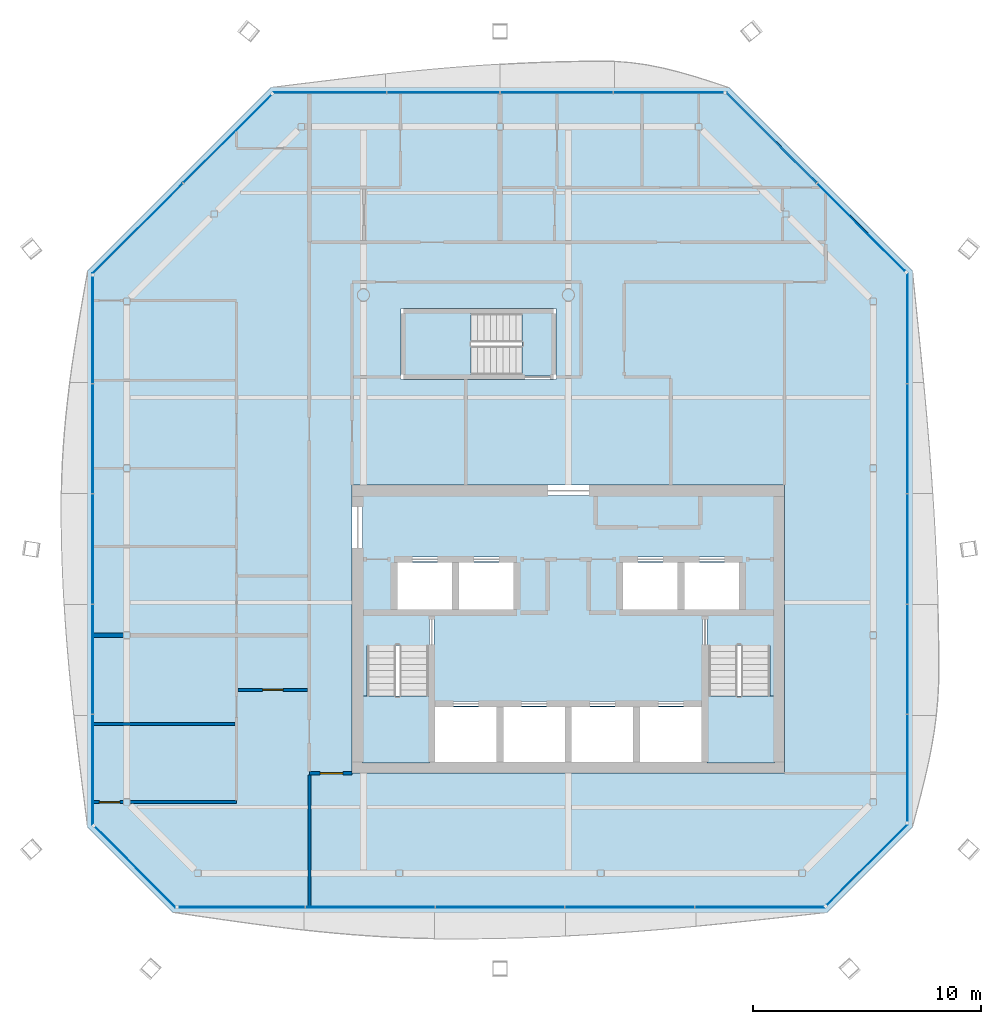
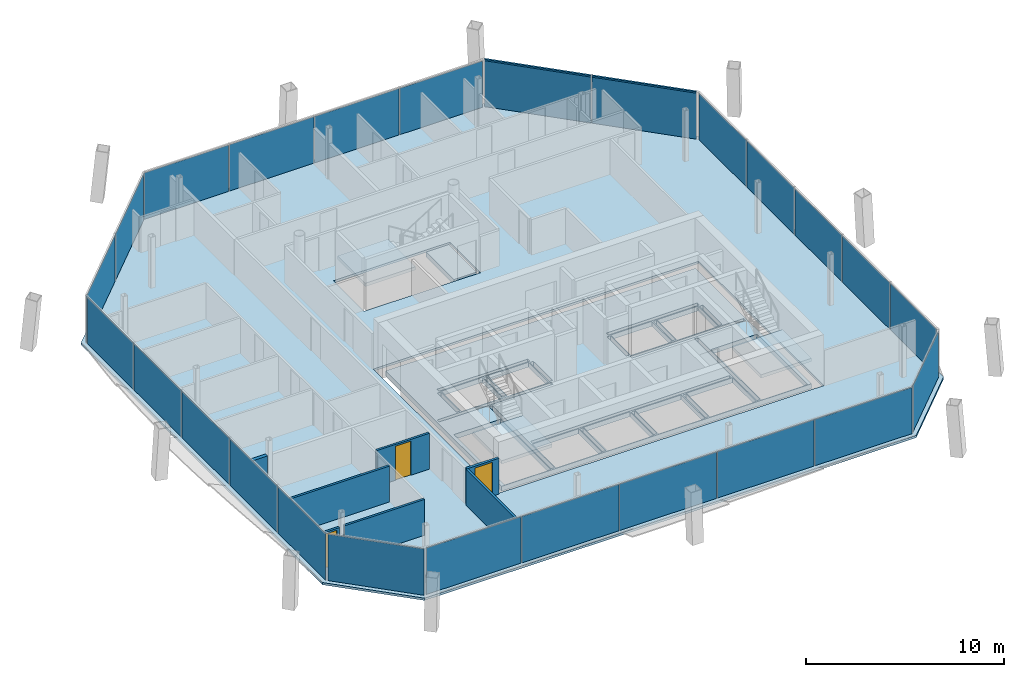
# One storey, part 9 of 15: 25 plates, 7 walls, 6 slabs, 3 doors, 2 members, 3 openings, 11 elements without a shape of their own.
"""IFC4 building model written with IfcOpenShell, lengths in metres."""

from ifc_helpers import new_model, si_unit, direction, frame, frame_2d, origin, origin_2d, place, context, subcontext, project, spatial, polyline, rectangle, outline, extrude, material, layer, layer_set, material_profile, profile_set, type_object, element, fill, aggregate, save


model = new_model("IFC4")

# Units and contexts
model_context = context("Model", 3, precision=1e-05, world=origin(), true_north=direction((0.0, 1.0)))
body_context = subcontext(model_context, "Body", "Model", "MODEL_VIEW")
ifc_project = project(units=[si_unit("LENGTHUNIT", "METRE"), si_unit("AREAUNIT", "SQUARE_METRE"), si_unit("VOLUMEUNIT", "CUBIC_METRE"), si_unit("PLANEANGLEUNIT", "RADIAN"), si_unit("MASSUNIT", "GRAM", prefix="KILO")], contexts=[model_context])

# Site, building, storey
site_placement = place(None, origin())
site = spatial("IfcSite", under=ifc_project, at=site_placement, CompositionType="ELEMENT")
building_placement = place(site_placement, origin())
building = spatial("IfcBuilding", under=site, at=building_placement, Name="Tskaro Facet Tower", CompositionType="ELEMENT")
storey_placement = place(building_placement, frame((0.0, 0.0, 242.39990234375)))
storey = spatial("IfcBuildingStorey", under=building, at=storey_placement, Name="L63", CompositionType="ELEMENT", Elevation=242.39990234375)

# Curtain wall, members
ifc_material_1 = material(Name="Bronze anodised aluminium 6063-T6", Category="aluminium")
curtain_wall_type = type_object("IfcCurtainWallType", Name="Bronze residence curtain wall (FW3)", PredefinedType="NOTDEFINED", material=ifc_material_1)
curtain_wall_1_placement = place(storey_placement, origin())
curtain_wall_1 = element("IfcCurtainWall", 1, at=curtain_wall_1_placement, inside=storey, type_object=curtain_wall_type, Name="FW3 north-east facet L63", PredefinedType="NOTDEFINED")
ifc_material_profile = material_profile(ifc_material_1, rectangle(XDim=0.10009765625, YDim=0.090087890625, at=origin_2d()), Name="Transom 100x90")
ifc_profile_set = profile_set([ifc_material_profile], Name="Bronze anodised aluminium 6063-T6")
member_type = type_object("IfcMemberType", Name="FW3 bronze transom 100x90", PredefinedType="USERDEFINED", material=ifc_profile_set)
member_1_placement = place(storey_placement, frame((14.7900390625, 10.046875, 2.905029296875), z_axis=(-0.70708438348, 0.707129178183, 0.0), x_axis=(-0.707129178183, -0.70708438348, 0.0)))
member_1 = element("IfcMember", 2, at=member_1_placement, type_object=member_type, Name="FW3 north-east transom 1.1", ObjectType="TRANSOM", PredefinedType="USERDEFINED", context=body_context, shape_type="SweptSolid", body=[
    extrude(rectangle(XDim=0.10009765625, YDim=0.090087890625, at=origin_2d()), origin(), (0.0, 0.0, 1.0), 5.4501953125),
])
member_2_placement = place(storey_placement, frame((10.90087890625, 13.936279296875, 2.905029296875), z_axis=(-0.707128617938, 0.70708494376, 0.0), x_axis=(-0.70708494376, -0.707128617938, 0.0)))
member_2 = element("IfcMember", 3, at=member_2_placement, type_object=member_type, Name="FW3 north-east transom 2.1", ObjectType="TRANSOM", PredefinedType="USERDEFINED", context=body_context, shape_type="SweptSolid", body=[
    extrude(rectangle(XDim=0.10009765625, YDim=0.090087890625, at=origin_2d()), origin(), (0.0, 0.0, 1.0), 5.590087890625),
])

# Slab
ifc_material_2 = material(Name="Concrete C30/37", Category="concrete")
ifc_layer_1 = layer(ifc_material_2, 0.139892578125, Name="Concrete C30/37")
ifc_layer_set_1 = layer_set([ifc_layer_1], Name="Concrete C30/37")
slab_type_1 = type_object("IfcSlabType", Name="Composite deck floor slab", PredefinedType="FLOOR", material=ifc_layer_set_1)
slab_1_placement = place(storey_placement, frame((0.0, 0.0, -0.139892578125)))
element("IfcSlab", 4, at=slab_1_placement, inside=storey, type_object=slab_type_1, Name="Floor slab FS3 L63", PredefinedType="FLOOR", context=body_context, shape_type="SweptSolid", body=[
    extrude(outline(polyline([(-17.35693359375, -18.138916015625), (11.35693359375, -18.138916015625), (15.138916015625, -14.35693359375), (15.138916015625, 10.052001953125), (7.052001953125, 18.138916015625), (-13.052001953125, 18.138916015625), (-21.138916015625, 10.052001953125), (-21.138916015625, -14.35693359375), (-17.35693359375, -18.138916015625)]), holes=[polyline([(-9.5, -12.0), (9.5, -12.0), (9.5, 0.64990234375), (-9.5, 0.64990234375), (-9.5, -12.0)]), polyline([(-7.35009765625, 5.300048828125), (-0.550048828125, 5.300048828125), (-0.550048828125, 8.39990234375), (-7.35009765625, 8.39990234375), (-7.35009765625, 5.300048828125)])]), origin(), (0.0, 0.0, 1.0), 0.139892578125),
])

# Curtain wall, plates
curtain_wall_2_placement = place(storey_placement, origin())
curtain_wall_2 = element("IfcCurtainWall", 5, at=curtain_wall_2_placement, inside=storey, type_object=curtain_wall_type, Name="FW3 south facet L63", PredefinedType="NOTDEFINED")
ifc_material_3 = material(Name="Bronze low-iron glass", Category="glass")
ifc_layer_2 = layer(ifc_material_3, 0.028076171875, Name="Bronze low-iron glass")
ifc_layer_set_2 = layer_set([ifc_layer_2], Name="Bronze low-iron glass")
plate_type = type_object("IfcPlateType", Name="FW3 bronze-tinted unit glazing 28", PredefinedType="CURTAIN_PANEL", material=ifc_layer_set_2)
plate_1_placement = place(storey_placement, frame((-14.344970703125, -17.888916015625, 0.0), z_axis=(0.0, 0.0, 1.0), x_axis=(1.0, 0.0, 0.0)))
plate_1 = element("IfcPlate", 6, at=plate_1_placement, type_object=plate_type, Name="FW3 south glazing 1.1", PredefinedType="CURTAIN_PANEL", context=body_context, shape_type="SweptSolid", body=[
    extrude(rectangle(XDim=5.5361328125, YDim=0.028076171875, at=origin_2d()), origin(), (0.0, 0.0, 1.0), 2.860107421875),
])
plate_2_placement = place(storey_placement, frame((-8.701171875, -17.888916015625, 0.0), z_axis=(0.0, 0.0, 1.0), x_axis=(1.0, 0.0, 0.0)))
plate_2 = element("IfcPlate", 7, at=plate_2_placement, type_object=plate_type, Name="FW3 south glazing 2.1", PredefinedType="CURTAIN_PANEL", context=body_context, shape_type="SweptSolid", body=[
    extrude(rectangle(XDim=5.651123046875, YDim=0.028076171875, at=origin_2d()), origin(), (0.0, 0.0, 1.0), 2.860107421875),
])
plate_3_placement = place(storey_placement, frame((-3.0, -17.888916015625, 0.0), z_axis=(0.0, 0.0, 1.0), x_axis=(1.0, 0.0, 0.0)))
plate_3 = element("IfcPlate", 8, at=plate_3_placement, type_object=plate_type, Name="FW3 south glazing 3.1", PredefinedType="CURTAIN_PANEL", context=body_context, shape_type="SweptSolid", body=[
    extrude(rectangle(XDim=5.651123046875, YDim=0.028076171875, at=origin_2d()), origin(), (0.0, 0.0, 1.0), 2.860107421875),
])
plate_4_placement = place(storey_placement, frame((2.701171875, -17.888916015625, 0.0), z_axis=(0.0, 0.0, 1.0), x_axis=(1.0, 0.0, 0.0)))
plate_4 = element("IfcPlate", 9, at=plate_4_placement, type_object=plate_type, Name="FW3 south glazing 4.1", PredefinedType="CURTAIN_PANEL", context=body_context, shape_type="SweptSolid", body=[
    extrude(rectangle(XDim=5.651123046875, YDim=0.028076171875, at=origin_2d()), origin(), (0.0, 0.0, 1.0), 2.860107421875),
])
plate_5_placement = place(storey_placement, frame((8.414794921875, -17.888916015625, 0.0), z_axis=(0.0, 0.0, 1.0), x_axis=(1.0, 0.0, 0.0)))
plate_5 = element("IfcPlate", 10, at=plate_5_placement, type_object=plate_type, Name="FW3 south glazing 5.1", PredefinedType="CURTAIN_PANEL", context=body_context, shape_type="SweptSolid", body=[
    extrude(rectangle(XDim=5.67626953125, YDim=0.028076171875, at=origin_2d()), origin(), (0.0, 0.0, 1.0), 2.860107421875),
])
aggregate(curtain_wall_2, [plate_1, plate_2, plate_3, plate_4, plate_5])

# Curtain wall, plate
curtain_wall_3_placement = place(storey_placement, origin())
curtain_wall_3 = element("IfcCurtainWall", 11, at=curtain_wall_3_placement, inside=storey, type_object=curtain_wall_type, Name="FW3 south-east facet L63", PredefinedType="NOTDEFINED")
plate_6_placement = place(storey_placement, frame((13.12060546875, -16.021484375, 0.0), z_axis=(0.0, 0.0, 1.0), x_axis=(0.707106781187, 0.707106781187, 0.0)))
plate_6 = element("IfcPlate", 12, at=plate_6_placement, type_object=plate_type, Name="FW3 south-east glazing 1.1", PredefinedType="CURTAIN_PANEL", context=body_context, shape_type="SweptSolid", body=[
    extrude(rectangle(XDim=5.002197265625, YDim=0.028076171875, at=origin_2d()), origin(), (0.0, 0.0, 1.0), 2.860107421875),
])
aggregate(curtain_wall_3, [plate_6])

# Curtain wall, plates
curtain_wall_4_placement = place(storey_placement, origin())
curtain_wall_4 = element("IfcCurtainWall", 13, at=curtain_wall_4_placement, inside=storey, type_object=curtain_wall_type, Name="FW3 east facet L63", PredefinedType="NOTDEFINED")
plate_7_placement = place(storey_placement, frame((14.888916015625, -11.775390625, 0.0), z_axis=(0.0, 0.0, 1.0), x_axis=(0.0, 1.0, 0.0)))
plate_7 = element("IfcPlate", 14, at=plate_7_placement, type_object=plate_type, Name="FW3 east glazing 1.1", PredefinedType="CURTAIN_PANEL", context=body_context, shape_type="SweptSolid", body=[
    extrude(rectangle(XDim=4.67529296875, YDim=0.028076171875, at=origin_2d()), origin(), (0.0, 0.0, 1.0), 2.860107421875),
])
plate_8_placement = place(storey_placement, frame((14.888916015625, -6.99267578125, 0.0), z_axis=(0.0, 0.0, 1.0), x_axis=(0.0, 1.0, 0.0)))
plate_8 = element("IfcPlate", 15, at=plate_8_placement, type_object=plate_type, Name="FW3 east glazing 2.1", PredefinedType="CURTAIN_PANEL", context=body_context, shape_type="SweptSolid", body=[
    extrude(rectangle(XDim=4.790283203125, YDim=0.028076171875, at=origin_2d()), origin(), (0.0, 0.0, 1.0), 2.860107421875),
])
plate_9_placement = place(storey_placement, frame((14.888916015625, -2.152587890625, 0.0), z_axis=(0.0, 0.0, 1.0), x_axis=(0.0, 1.0, 0.0)))
plate_9 = element("IfcPlate", 16, at=plate_9_placement, type_object=plate_type, Name="FW3 east glazing 3.1", PredefinedType="CURTAIN_PANEL", context=body_context, shape_type="SweptSolid", body=[
    extrude(rectangle(XDim=4.790283203125, YDim=0.028076171875, at=origin_2d()), origin(), (0.0, 0.0, 1.0), 2.860107421875),
])
plate_10_placement = place(storey_placement, frame((14.888916015625, 2.687744140625, 0.0), z_axis=(0.0, 0.0, 1.0), x_axis=(0.0, 1.0, 0.0)))
plate_10 = element("IfcPlate", 17, at=plate_10_placement, type_object=plate_type, Name="FW3 east glazing 4.1", PredefinedType="CURTAIN_PANEL", context=body_context, shape_type="SweptSolid", body=[
    extrude(rectangle(XDim=4.790283203125, YDim=0.028076171875, at=origin_2d()), origin(), (0.0, 0.0, 1.0), 2.860107421875),
])
plate_11_placement = place(storey_placement, frame((14.888916015625, 7.540283203125, 0.0), z_axis=(0.0, 0.0, 1.0), x_axis=(0.0, 1.0, 0.0)))
plate_11 = element("IfcPlate", 18, at=plate_11_placement, type_object=plate_type, Name="FW3 east glazing 5.1", PredefinedType="CURTAIN_PANEL", context=body_context, shape_type="SweptSolid", body=[
    extrude(rectangle(XDim=4.815185546875, YDim=0.028076171875, at=origin_2d()), origin(), (0.0, 0.0, 1.0), 2.860107421875),
])
aggregate(curtain_wall_4, [plate_7, plate_8, plate_9, plate_10, plate_11])

# Plate
plate_12_placement = place(storey_placement, frame((12.863037109375, 11.973876953125, 0.0), z_axis=(0.0, 0.0, 1.0), x_axis=(-0.707106781187, 0.707106781187, 0.0)))
plate_12 = element("IfcPlate", 19, at=plate_12_placement, type_object=plate_type, Name="FW3 north-east glazing 1.1", PredefinedType="CURTAIN_PANEL", context=body_context, shape_type="SweptSolid", body=[
    extrude(rectangle(XDim=5.4501953125, YDim=0.028076171875, at=origin_2d()), origin(), (0.0, 0.0, 1.0), 2.860107421875),
])

plate_13_placement = place(storey_placement, frame((8.92431640625, 15.91259765625, 0.0), z_axis=(0.0, 0.0, 1.0), x_axis=(-0.707106781187, 0.707106781187, 0.0)))
plate_13 = element("IfcPlate", 20, at=plate_13_placement, type_object=plate_type, Name="FW3 north-east glazing 2.1", PredefinedType="CURTAIN_PANEL", context=body_context, shape_type="SweptSolid", body=[
    extrude(rectangle(XDim=5.590087890625, YDim=0.028076171875, at=origin_2d()), origin(), (0.0, 0.0, 1.0), 2.860107421875),
])

aggregate(curtain_wall_1, [member_1, plate_12, member_2, plate_13])

# Curtain wall, plates
curtain_wall_5_placement = place(storey_placement, origin())
curtain_wall_5 = element("IfcCurtainWall", 21, at=curtain_wall_5_placement, inside=storey, type_object=curtain_wall_type, Name="FW3 north facet L63", PredefinedType="NOTDEFINED")
plate_14_placement = place(storey_placement, frame((4.403564453125, 17.888916015625, 0.0), z_axis=(0.0, 0.0, 1.0), x_axis=(-1.0, 0.0, 0.0)))
plate_14 = element("IfcPlate", 22, at=plate_14_placement, type_object=plate_type, Name="FW3 north glazing 1.1", PredefinedType="CURTAIN_PANEL", context=body_context, shape_type="SweptSolid", body=[
    extrude(rectangle(XDim=4.80908203125, YDim=0.028076171875, at=origin_2d()), origin(), (0.0, 0.0, 1.0), 2.860107421875),
])
plate_15_placement = place(storey_placement, frame((-0.512939453125, 17.888916015625, 0.0), z_axis=(0.0, 0.0, 1.0), x_axis=(-1.0, 0.0, 0.0)))
plate_15 = element("IfcPlate", 23, at=plate_15_placement, type_object=plate_type, Name="FW3 north glazing 2.1", PredefinedType="CURTAIN_PANEL", context=body_context, shape_type="SweptSolid", body=[
    extrude(rectangle(XDim=4.924072265625, YDim=0.028076171875, at=origin_2d()), origin(), (0.0, 0.0, 1.0), 2.860107421875),
])
plate_16_placement = place(storey_placement, frame((-5.487060546875, 17.888916015625, 0.0), z_axis=(0.0, 0.0, 1.0), x_axis=(-1.0, 0.0, 0.0)))
plate_16 = element("IfcPlate", 24, at=plate_16_placement, type_object=plate_type, Name="FW3 north glazing 3.1", PredefinedType="CURTAIN_PANEL", context=body_context, shape_type="SweptSolid", body=[
    extrude(rectangle(XDim=4.924072265625, YDim=0.028076171875, at=origin_2d()), origin(), (0.0, 0.0, 1.0), 2.860107421875),
])
plate_17_placement = place(storey_placement, frame((-10.473388671875, 17.888916015625, 0.0), z_axis=(0.0, 0.0, 1.0), x_axis=(-1.0, 0.0, 0.0)))
plate_17 = element("IfcPlate", 25, at=plate_17_placement, type_object=plate_type, Name="FW3 north glazing 4.1", PredefinedType="CURTAIN_PANEL", context=body_context, shape_type="SweptSolid", body=[
    extrude(rectangle(XDim=4.948974609375, YDim=0.028076171875, at=origin_2d()), origin(), (0.0, 0.0, 1.0), 2.860107421875),
])
aggregate(curtain_wall_5, [plate_14, plate_15, plate_16, plate_17])

curtain_wall_6_placement = place(storey_placement, origin())
curtain_wall_6 = element("IfcCurtainWall", 26, at=curtain_wall_6_placement, inside=storey, type_object=curtain_wall_type, Name="FW3 north-west facet L63", PredefinedType="NOTDEFINED")
plate_18_placement = place(storey_placement, frame((-14.973876953125, 15.863037109375, 0.0), z_axis=(0.0, 0.0, 1.0), x_axis=(-0.707106781187, -0.707106781187, 0.0)))
plate_18 = element("IfcPlate", 27, at=plate_18_placement, type_object=plate_type, Name="FW3 north-west glazing 1.1", PredefinedType="CURTAIN_PANEL", context=body_context, shape_type="SweptSolid", body=[
    extrude(rectangle(XDim=5.4501953125, YDim=0.028076171875, at=origin_2d()), origin(), (0.0, 0.0, 1.0), 2.860107421875),
])
plate_19_placement = place(storey_placement, frame((-18.91259765625, 11.92431640625, 0.0), z_axis=(0.0, 0.0, 1.0), x_axis=(-0.707106781187, -0.707106781187, 0.0)))
plate_19 = element("IfcPlate", 28, at=plate_19_placement, type_object=plate_type, Name="FW3 north-west glazing 2.1", PredefinedType="CURTAIN_PANEL", context=body_context, shape_type="SweptSolid", body=[
    extrude(rectangle(XDim=5.590087890625, YDim=0.028076171875, at=origin_2d()), origin(), (0.0, 0.0, 1.0), 2.860107421875),
])
aggregate(curtain_wall_6, [plate_18, plate_19])

curtain_wall_7_placement = place(storey_placement, origin())
curtain_wall_7 = element("IfcCurtainWall", 29, at=curtain_wall_7_placement, inside=storey, type_object=curtain_wall_type, Name="FW3 west facet L63", PredefinedType="NOTDEFINED")
plate_20_placement = place(storey_placement, frame((-20.888916015625, 7.470458984375, 0.0), z_axis=(0.0, 0.0, 1.0), x_axis=(0.0, -1.0, 0.0)))
plate_20 = element("IfcPlate", 30, at=plate_20_placement, type_object=plate_type, Name="FW3 west glazing 1.1", PredefinedType="CURTAIN_PANEL", context=body_context, shape_type="SweptSolid", body=[
    extrude(rectangle(XDim=4.67529296875, YDim=0.028076171875, at=origin_2d()), origin(), (0.0, 0.0, 1.0), 2.860107421875),
])
plate_21_placement = place(storey_placement, frame((-20.888916015625, 2.687744140625, 0.0), z_axis=(0.0, 0.0, 1.0), x_axis=(0.0, -1.0, 0.0)))
plate_21 = element("IfcPlate", 31, at=plate_21_placement, type_object=plate_type, Name="FW3 west glazing 2.1", PredefinedType="CURTAIN_PANEL", context=body_context, shape_type="SweptSolid", body=[
    extrude(rectangle(XDim=4.790283203125, YDim=0.028076171875, at=origin_2d()), origin(), (0.0, 0.0, 1.0), 2.860107421875),
])
plate_22_placement = place(storey_placement, frame((-20.888916015625, -2.152587890625, 0.0), z_axis=(0.0, 0.0, 1.0), x_axis=(0.0, -1.0, 0.0)))
plate_22 = element("IfcPlate", 32, at=plate_22_placement, type_object=plate_type, Name="FW3 west glazing 3.1", PredefinedType="CURTAIN_PANEL", context=body_context, shape_type="SweptSolid", body=[
    extrude(rectangle(XDim=4.790283203125, YDim=0.028076171875, at=origin_2d()), origin(), (0.0, 0.0, 1.0), 2.860107421875),
])
plate_23_placement = place(storey_placement, frame((-20.888916015625, -6.99267578125, 0.0), z_axis=(0.0, 0.0, 1.0), x_axis=(0.0, -1.0, 0.0)))
plate_23 = element("IfcPlate", 33, at=plate_23_placement, type_object=plate_type, Name="FW3 west glazing 4.1", PredefinedType="CURTAIN_PANEL", context=body_context, shape_type="SweptSolid", body=[
    extrude(rectangle(XDim=4.790283203125, YDim=0.028076171875, at=origin_2d()), origin(), (0.0, 0.0, 1.0), 2.860107421875),
])
plate_24_placement = place(storey_placement, frame((-20.888916015625, -11.845458984375, 0.0), z_axis=(0.0, 0.0, 1.0), x_axis=(0.0, -1.0, 0.0)))
plate_24 = element("IfcPlate", 34, at=plate_24_placement, type_object=plate_type, Name="FW3 west glazing 5.1", PredefinedType="CURTAIN_PANEL", context=body_context, shape_type="SweptSolid", body=[
    extrude(rectangle(XDim=4.815185546875, YDim=0.028076171875, at=origin_2d()), origin(), (0.0, 0.0, 1.0), 2.860107421875),
])
aggregate(curtain_wall_7, [plate_20, plate_21, plate_22, plate_23, plate_24])

# Curtain wall, plate
curtain_wall_8_placement = place(storey_placement, origin())
curtain_wall_8 = element("IfcCurtainWall", 35, at=curtain_wall_8_placement, inside=storey, type_object=curtain_wall_type, Name="FW3 south-west facet L63", PredefinedType="NOTDEFINED")
plate_25_placement = place(storey_placement, frame((-19.021484375, -16.12060546875, 0.0), z_axis=(0.0, 0.0, 1.0), x_axis=(0.707106781187, -0.707106781187, 0.0)))
plate_25 = element("IfcPlate", 36, at=plate_25_placement, type_object=plate_type, Name="FW3 south-west glazing 1.1", PredefinedType="CURTAIN_PANEL", context=body_context, shape_type="SweptSolid", body=[
    extrude(rectangle(XDim=5.002197265625, YDim=0.028076171875, at=origin_2d()), origin(), (0.0, 0.0, 1.0), 2.860107421875),
])
aggregate(curtain_wall_8, [plate_25])

# Stair, slab
ifc_material_4 = material(Name="Concrete C40/50", Category="concrete")
stair_type = type_object("IfcStairType", Name="ST-TWR", PredefinedType="HALF_TURN_STAIR", material=ifc_material_4)
stair_1_placement = place(storey_placement, origin())
stair_1 = element("IfcStair", 37, at=stair_1_placement, inside=storey, type_object=stair_type, Name="L63 Exit stair 1", PredefinedType="HALF_TURN_STAIR")
ifc_layer_3 = layer(ifc_material_4, 0.199951171875, Name="Concrete C40/50")
ifc_layer_set_3 = layer_set([ifc_layer_3], Name="Concrete C40/50")
slab_type_2 = type_object("IfcSlabType", Name="SL-LANDING", PredefinedType="LANDING", material=ifc_layer_set_3)
slab_2_placement = place(storey_placement, frame((0.0, 0.0, 1.375)))
slab_2 = element("IfcSlab", 38, at=slab_2_placement, type_object=slab_type_2, Name="ST-1 landing 1", PredefinedType="LANDING", context=body_context, shape_type="SweptSolid", body=[
    extrude(outline(polyline([(-9.050048828125, -11.550048828125), (-6.10009765625, -11.550048828125), (-6.10009765625, -8.614990234375), (-9.050048828125, -8.614990234375), (-9.050048828125, -11.550048828125)])), origin(), (0.0, 0.0, 1.0), 0.2001953125),
])
aggregate(stair_1, [slab_2])

stair_2_placement = place(storey_placement, origin())
stair_2 = element("IfcStair", 39, at=stair_2_placement, inside=storey, type_object=stair_type, Name="L63 Exit stair 2", PredefinedType="HALF_TURN_STAIR")
slab_3_placement = place(storey_placement, frame((0.0, 0.0, 1.375)))
slab_3 = element("IfcSlab", 40, at=slab_3_placement, type_object=slab_type_2, Name="ST-2 landing 1", PredefinedType="LANDING", context=body_context, shape_type="SweptSolid", body=[
    extrude(outline(polyline([(6.10009765625, -11.550048828125), (9.050048828125, -11.550048828125), (9.050048828125, -8.614990234375), (6.10009765625, -8.614990234375), (6.10009765625, -11.550048828125)])), origin(), (0.0, 0.0, 1.0), 0.2001953125),
])
aggregate(stair_2, [slab_3])

stair_3_placement = place(storey_placement, origin())
stair_3 = element("IfcStair", 41, at=stair_3_placement, inside=storey, type_object=stair_type, Name="L63 Exit stair 3", PredefinedType="HALF_TURN_STAIR")
slab_4_placement = place(storey_placement, frame((0.0, 0.0, 1.375)))
slab_4 = element("IfcSlab", 42, at=slab_4_placement, type_object=slab_type_2, Name="ST-3 landing 1", PredefinedType="LANDING", context=body_context, shape_type="SweptSolid", body=[
    extrude(outline(polyline([(-7.199951171875, 5.449951171875), (-4.264892578125, 5.449951171875), (-4.264892578125, 8.25), (-7.199951171875, 8.25), (-7.199951171875, 5.449951171875)])), origin(), (0.0, 0.0, 1.0), 0.2001953125),
])
aggregate(stair_3, [slab_4])

# Slabs
ifc_material_5 = material(Name="Concrete C60/75", Category="concrete")
ifc_layer_4 = layer(ifc_material_5, 0.300048828125, Name="Concrete C60/75")
ifc_layer_set_4 = layer_set([ifc_layer_4], Name="Concrete C60/75")
slab_type_3 = type_object("IfcSlabType", Name="SLAB-CORE", PredefinedType="FLOOR", material=ifc_layer_set_4)
slab_5_placement = place(storey_placement, frame((0.0, 0.0, -0.2998046875)))
element("IfcSlab", 43, at=slab_5_placement, inside=storey, type_object=slab_type_3, Name="Core floor slab 1", PredefinedType="FLOOR", context=body_context, shape_type="SweptSolid", body=[
    extrude(outline(polyline([(-9.050048828125, 0.199951171875), (9.050048828125, 0.199951171875), (9.050048828125, 0.10009765625), (9.050048828125, -11.449951171875), (9.050048828125, -11.550048828125), (-9.050048828125, -11.550048828125), (-9.050048828125, -11.449951171875), (-9.050048828125, 0.10009765625), (-9.050048828125, 0.199951171875)]), holes=[polyline([(-5.85009765625, -9.10009765625), (-5.85009765625, -11.5), (-3.14990234375, -11.5), (-3.14990234375, -9.10009765625), (-5.85009765625, -9.10009765625)]), polyline([(-3.10009765625, -11.449951171875), (-2.89990234375, -11.449951171875), (-2.89990234375, -9.14990234375), (-3.10009765625, -9.14990234375), (-3.10009765625, -11.449951171875)]), polyline([(-2.85009765625, -9.10009765625), (-2.85009765625, -11.5), (-0.14990234375, -11.5), (-0.14990234375, -9.10009765625), (-2.85009765625, -9.10009765625)]), polyline([(-6.10009765625, -11.449951171875), (-5.89990234375, -11.449951171875), (-5.89990234375, -5.14990234375), (-6.10009765625, -5.14990234375), (-6.10009765625, -11.449951171875)]), polyline([(-8.949951171875, -5.050048828125), (-2.300048828125, -5.050048828125), (-2.300048828125, -4.85009765625), (-8.949951171875, -4.85009765625), (-8.949951171875, -5.050048828125)]), polyline([(-7.75, -4.75), (-7.550048828125, -4.75), (-7.550048828125, -2.800048828125), (-7.75, -2.800048828125), (-7.75, -4.75)]), polyline([(-7.5, -2.75), (-7.5, -4.800048828125), (-5.10009765625, -4.800048828125), (-5.10009765625, -2.75), (-7.5, -2.75)]), polyline([(-5.050048828125, -4.75), (-4.85009765625, -4.75), (-4.85009765625, -2.800048828125), (-5.050048828125, -2.800048828125), (-5.050048828125, -4.75)]), polyline([(-2.39990234375, -2.75), (-4.800048828125, -2.75), (-4.800048828125, -4.800048828125), (-2.39990234375, -4.800048828125), (-2.39990234375, -2.75)]), polyline([(-2.35009765625, -4.75), (-2.14990234375, -4.75), (-2.14990234375, -2.800048828125), (-2.35009765625, -2.800048828125), (-2.35009765625, -4.75)]), polyline([(-7.60009765625, -2.699951171875), (-2.300048828125, -2.699951171875), (-2.300048828125, -2.5), (-7.60009765625, -2.5), (-7.60009765625, -2.699951171875)]), polyline([(-0.10009765625, -11.449951171875), (0.10009765625, -11.449951171875), (0.10009765625, -9.14990234375), (-0.10009765625, -9.14990234375), (-0.10009765625, -11.449951171875)]), polyline([(0.14990234375, -9.10009765625), (0.14990234375, -11.5), (2.85009765625, -11.5), (2.85009765625, -9.10009765625), (0.14990234375, -9.10009765625)]), polyline([(2.89990234375, -11.449951171875), (3.10009765625, -11.449951171875), (3.10009765625, -9.14990234375), (2.89990234375, -9.14990234375), (2.89990234375, -11.449951171875)]), polyline([(3.14990234375, -9.10009765625), (3.14990234375, -11.5), (5.85009765625, -11.5), (5.85009765625, -9.10009765625), (3.14990234375, -9.10009765625)]), polyline([(-5.800048828125, -9.050048828125), (5.800048828125, -9.050048828125), (5.800048828125, -8.85009765625), (-5.800048828125, -8.85009765625), (-5.800048828125, -9.050048828125)]), polyline([(5.89990234375, -11.449951171875), (6.10009765625, -11.449951171875), (6.10009765625, -5.14990234375), (5.89990234375, -5.14990234375), (5.89990234375, -11.449951171875)]), polyline([(2.300048828125, -5.050048828125), (8.949951171875, -5.050048828125), (8.949951171875, -4.85009765625), (2.300048828125, -4.85009765625), (2.300048828125, -5.050048828125)]), polyline([(2.14990234375, -4.75), (2.35009765625, -4.75), (2.35009765625, -2.800048828125), (2.14990234375, -2.800048828125), (2.14990234375, -4.75)]), polyline([(2.39990234375, -4.800048828125), (4.800048828125, -4.800048828125), (4.800048828125, -2.75), (2.39990234375, -2.75), (2.39990234375, -4.800048828125)]), polyline([(4.85009765625, -4.75), (5.050048828125, -4.75), (5.050048828125, -2.800048828125), (4.85009765625, -2.800048828125), (4.85009765625, -4.75)]), polyline([(5.10009765625, -4.800048828125), (7.5, -4.800048828125), (7.5, -2.75), (5.10009765625, -2.75), (5.10009765625, -4.800048828125)]), polyline([(7.550048828125, -4.75), (7.75, -4.75), (7.75, -2.800048828125), (7.550048828125, -2.800048828125), (7.550048828125, -4.75)]), polyline([(2.300048828125, -2.699951171875), (7.60009765625, -2.699951171875), (7.60009765625, -2.5), (2.300048828125, -2.5), (2.300048828125, -2.699951171875)]), polyline([(-8.85009765625, -11.5), (-6.14990234375, -11.5), (-6.14990234375, -6.39501953125), (-8.85009765625, -6.39501953125), (-8.85009765625, -11.5)]), polyline([(6.14990234375, -6.39501953125), (6.14990234375, -11.5), (8.85009765625, -11.5), (8.85009765625, -6.39501953125), (6.14990234375, -6.39501953125)])]), origin(), (0.0, 0.0, 1.0), 0.2998046875),
])
slab_6_placement = place(storey_placement, frame((0.0, 0.0, -0.2998046875)))
element("IfcSlab", 44, at=slab_6_placement, inside=storey, type_object=slab_type_3, Name="Stair 3 floor landing 1", PredefinedType="FLOOR", context=body_context, shape_type="SweptSolid", body=[
    extrude(outline(polyline([(-2.02490234375, 5.449951171875), (-0.699951171875, 5.449951171875), (-0.699951171875, 8.25), (-2.02490234375, 8.25), (-2.02490234375, 5.449951171875)])), origin(), (0.0, 0.0, 1.0), 0.2998046875),
])

# Wall, opening, door
ifc_material_6 = material(Name="Gypsum board on steel studs", Category="steel")
ifc_layer_5 = layer(ifc_material_6, 0.125, Name="Gypsum board on steel studs")
ifc_layer_set_5 = layer_set([ifc_layer_5], Name="Gypsum board on steel studs")
wall_type_1 = type_object("IfcWallType", Name="PART", PredefinedType="PARTITIONING", material=ifc_layer_set_5)
wall_1_placement = place(storey_placement, frame((-20.839111328125, -13.27001953125, 0.0), z_axis=(0.0, 0.0, 1.0), x_axis=(1.0, 0.0, 0.0)))
wall_1 = element("IfcWall", 45, at=wall_1_placement, inside=storey, type_object=wall_type_1, Name="Partition W001", PredefinedType="PARTITIONING", context=body_context, shape_type="SweptSolid", body=[
    extrude(rectangle(XDim=1.298095703125, YDim=0.125, at=frame_2d((0.64892578125, 0.0))), origin(), (0.0, 0.0, 1.0), 2.210205078125),
])
opening_1_placement = place(wall_1_placement, frame((0.248046875, 0.0, 0.0)))
opening_1 = element("IfcOpeningElement", 46, at=opening_1_placement, cuts=wall_1, Name="Opening T18-D01", PredefinedType="OPENING", context=body_context, shape_type="SweptSolid", body=[
    extrude(rectangle(XDim=0.89990234375, YDim=2.10009765625, at=frame_2d((0.449951171875, 1.050048828125))), frame((0.0, 0.072509765625, 0.0), z_axis=(0.0, -1.0, 0.0), x_axis=(1.0, 0.0, 0.0)), (0.0, 0.0, 1.0), 0.14501953125),
])
ifc_material_7 = material(Name="Timber", Category="wood")
door_type_1 = type_object("IfcDoorType", Name="D-ROOM", OperationType="NOTDEFINED", PredefinedType="DOOR", material=ifc_material_7)
door_1_placement = place(opening_1_placement, origin())
door_1 = element("IfcDoor", 47, at=door_1_placement, inside=storey, type_object=door_type_1, Name="Door T18-D01", OperationType="SINGLE_SWING_LEFT", OverallHeight=2.10009765625, OverallWidth=0.89990234375, PredefinedType="DOOR", context=body_context, shape_type="SweptSolid", body=[
    extrude(rectangle(XDim=0.89990234375, YDim=2.10009765625, at=frame_2d((0.449951171875, 1.050048828125))), frame((0.0, 0.02490234375, 0.0), z_axis=(0.0, -1.0, 0.0), x_axis=(1.0, 0.0, 0.0)), (0.0, 0.0, 1.0), 0.050048828125),
])
fill(opening_1, door_1)

# Walls
wall_2_placement = place(storey_placement, frame((-19.240966796875, -13.27001953125, 0.0), z_axis=(0.0, 0.0, 1.0), x_axis=(1.0, 0.0, 0.0)))
element("IfcWall", 48, at=wall_2_placement, inside=storey, type_object=wall_type_1, Name="Partition W002", PredefinedType="PARTITIONING", context=body_context, shape_type="SweptSolid", body=[
    extrude(rectangle(XDim=4.666015625, YDim=0.125, at=frame_2d((2.3330078125, 0.0))), origin(), (0.0, 0.0, 1.0), 2.210205078125),
])
wall_3_placement = place(storey_placement, frame((-20.839111328125, -9.840087890625, 0.0), z_axis=(0.0, 0.0, 1.0), x_axis=(1.0, 0.0, 0.0)))
element("IfcWall", 49, at=wall_3_placement, inside=storey, type_object=wall_type_1, Name="Partition W005", PredefinedType="PARTITIONING", context=body_context, shape_type="SweptSolid", body=[
    extrude(rectangle(XDim=6.20166015625, YDim=0.125, at=frame_2d((3.100830078125, 0.0))), origin(), (0.0, 0.0, 1.0), 2.210205078125),
])

# Wall, opening, door
wall_4_placement = place(storey_placement, frame((-14.512451171875, -8.340087890625, 0.0), z_axis=(0.0, 0.0, 1.0), x_axis=(1.0, 0.0, 0.0)))
wall_4 = element("IfcWall", 50, at=wall_4_placement, inside=storey, type_object=wall_type_1, Name="Partition W007", PredefinedType="PARTITIONING", context=body_context, shape_type="SweptSolid", body=[
    extrude(rectangle(XDim=3.0625, YDim=0.125, at=frame_2d((1.53125, 0.0))), origin(), (0.0, 0.0, 1.0), 2.210205078125),
])
opening_2_placement = place(wall_4_placement, frame((1.08740234375, 0.0, 0.0)))
opening_2 = element("IfcOpeningElement", 51, at=opening_2_placement, cuts=wall_4, Name="Opening T18-D05", PredefinedType="OPENING", context=body_context, shape_type="SweptSolid", body=[
    extrude(rectangle(XDim=0.89990234375, YDim=2.10009765625, at=frame_2d((0.449951171875, 1.050048828125))), frame((0.0, 0.072509765625, 0.0), z_axis=(0.0, -1.0, 0.0), x_axis=(1.0, 0.0, 0.0)), (0.0, 0.0, 1.0), 0.14501953125),
])
door_2_placement = place(opening_2_placement, origin())
door_2 = element("IfcDoor", 52, at=door_2_placement, inside=storey, type_object=door_type_1, Name="Door T18-D05", OperationType="SINGLE_SWING_LEFT", OverallHeight=2.10009765625, OverallWidth=0.89990234375, PredefinedType="DOOR", context=body_context, shape_type="SweptSolid", body=[
    extrude(rectangle(XDim=0.89990234375, YDim=2.10009765625, at=frame_2d((0.449951171875, 1.050048828125))), frame((0.0, 0.02490234375, 0.0), z_axis=(0.0, -1.0, 0.0), x_axis=(1.0, 0.0, 0.0)), (0.0, 0.0, 1.0), 0.050048828125),
])
fill(opening_2, door_2)

# Wall
wall_5_placement = place(storey_placement, frame((-11.375, -17.839111328125, 0.0), z_axis=(0.0, 0.0, 1.0), x_axis=(0.0, 1.0, 0.0)))
element("IfcWall", 53, at=wall_5_placement, inside=storey, type_object=wall_type_1, Name="Partition W041", PredefinedType="PARTITIONING", context=body_context, shape_type="SweptSolid", body=[
    extrude(rectangle(XDim=5.76416015625, YDim=0.125, at=frame_2d((2.882080078125, 0.0))), origin(), (0.0, 0.0, 1.0), 2.210205078125),
])

# Wall, opening, door
ifc_layer_6 = layer(ifc_material_6, 0.14990234375, Name="Gypsum board on steel studs")
ifc_layer_set_6 = layer_set([ifc_layer_6], Name="Gypsum board on steel studs")
wall_type_2 = type_object("IfcWallType", Name="PART-CORR", PredefinedType="PARTITIONING", material=ifc_layer_set_6)
wall_6_placement = place(storey_placement, frame((-9.5, -12.0, 0.0), z_axis=(0.0, 0.0, 1.0), x_axis=(-1.0, 0.0, 0.0)))
wall_6 = element("IfcWall", 54, at=wall_6_placement, inside=storey, type_object=wall_type_2, Name="Corridor wall W003", PredefinedType="PARTITIONING", context=body_context, shape_type="SweptSolid", body=[
    extrude(rectangle(XDim=1.875, YDim=0.14990234375, at=frame_2d((0.9375, 0.0))), origin(), (0.0, 0.0, 1.0), 2.210205078125),
])
opening_3_placement = place(wall_6_placement, frame((0.39990234375, 0.0, 0.0)))
opening_3 = element("IfcOpeningElement", 55, at=opening_3_placement, cuts=wall_6, Name="Opening T18-D02", PredefinedType="OPENING", context=body_context, shape_type="SweptSolid", body=[
    extrude(rectangle(XDim=1.0, YDim=2.10009765625, at=frame_2d((0.5, 1.050048828125))), frame((0.0, 0.0849609375, 0.0), z_axis=(0.0, -1.0, 0.0), x_axis=(1.0, 0.0, 0.0)), (0.0, 0.0, 1.0), 0.169921875),
])
door_type_2 = type_object("IfcDoorType", Name="D-ROOM-WIDE", OperationType="NOTDEFINED", PredefinedType="DOOR", material=ifc_material_7)
door_3_placement = place(opening_3_placement, origin())
door_3 = element("IfcDoor", 56, at=door_3_placement, inside=storey, type_object=door_type_2, Name="Door T18-D02", OperationType="SINGLE_SWING_RIGHT", OverallHeight=2.10009765625, OverallWidth=1.0, PredefinedType="DOOR", context=body_context, shape_type="SweptSolid", body=[
    extrude(rectangle(XDim=1.0, YDim=2.10009765625, at=frame_2d((0.5, 1.050048828125))), frame((0.0, 0.02490234375, 0.0), z_axis=(0.0, -1.0, 0.0), x_axis=(1.0, 0.0, 0.0)), (0.0, 0.0, 1.0), 0.050048828125),
])
fill(opening_3, door_3)

# Wall
ifc_layer_7 = layer(ifc_material_6, 0.199951171875, Name="Gypsum board on steel studs")
ifc_layer_set_7 = layer_set([ifc_layer_7], Name="Gypsum board on steel studs")
wall_type_3 = type_object("IfcWallType", Name="PART-DEMISING", PredefinedType="PARTITIONING", material=ifc_layer_set_7)
wall_7_placement = place(storey_placement, frame((-20.839111328125, -5.93994140625, 0.0), z_axis=(0.0, 0.0, 1.0), x_axis=(1.0, 0.0, 0.0)))
element("IfcWall", 57, at=wall_7_placement, inside=storey, type_object=wall_type_3, Name="Guest room wall W008", PredefinedType="PARTITIONING", context=body_context, shape_type="SweptSolid", body=[
    extrude(rectangle(XDim=1.298095703125, YDim=0.199951171875, at=frame_2d((0.64892578125, 0.0))), origin(), (0.0, 0.0, 1.0), 2.210205078125),
])

save(model, "model.ifc")
